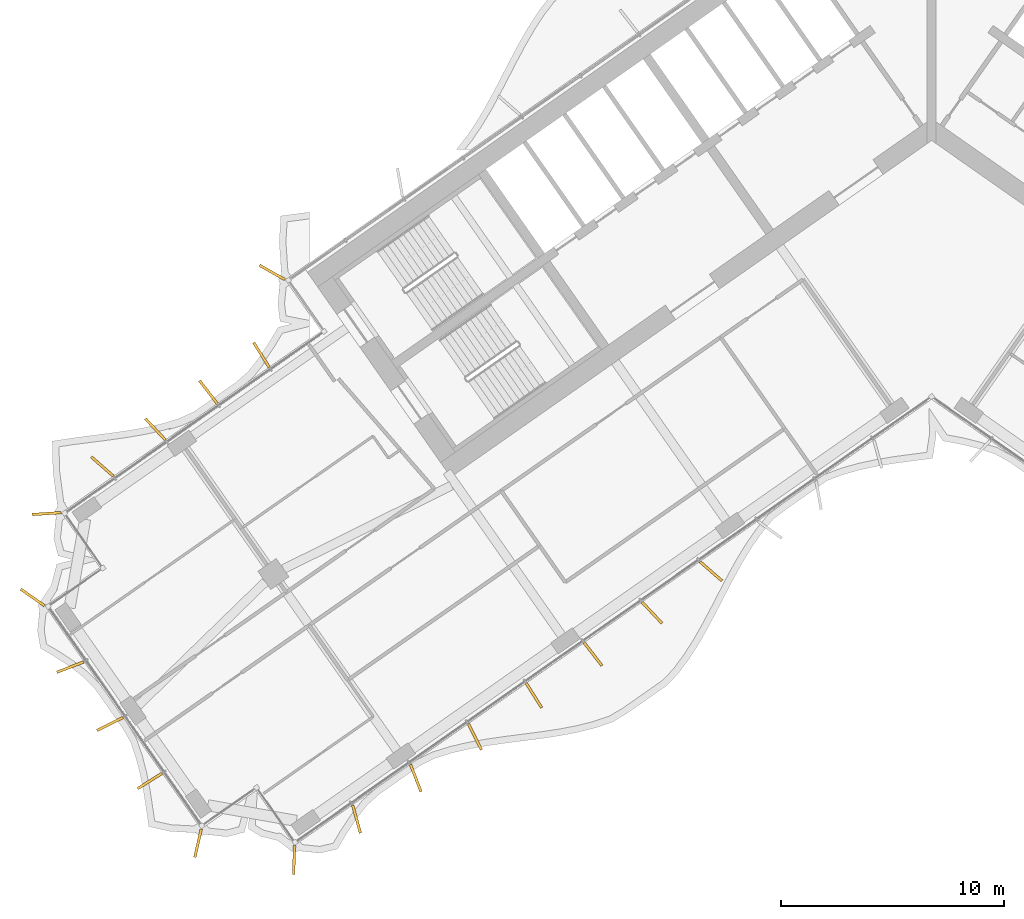
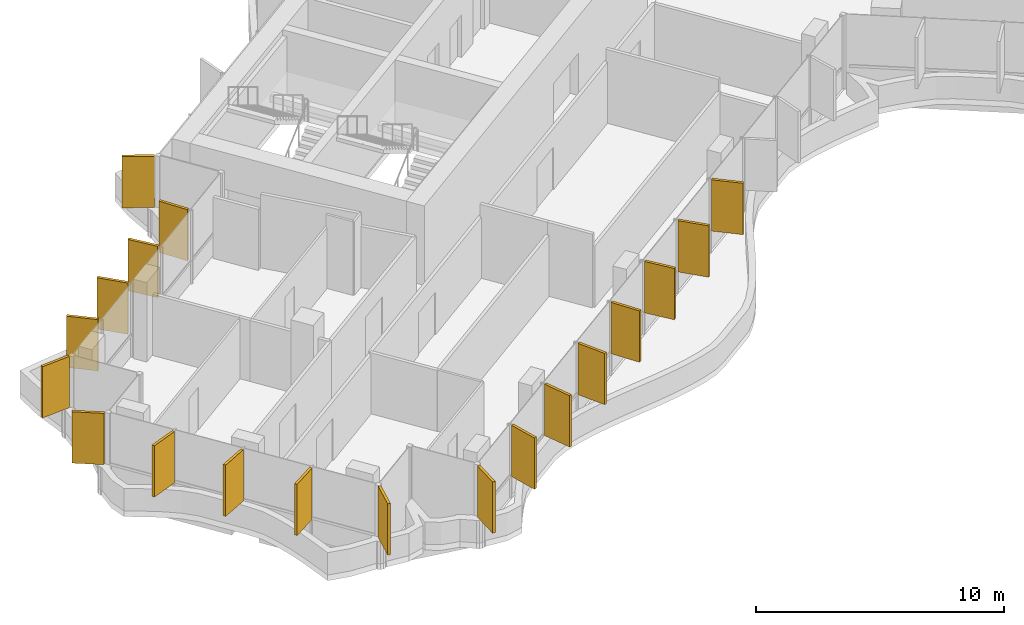
# One storey, part 17 of 22: 19 shading devices.
"""IFC4 building model written with IfcOpenShell, lengths in metres."""

from ifc_helpers import new_model, si_unit, direction, frame, origin, origin_2d, place, context, subcontext, project, spatial, rectangle, extrude, material, layer, layer_set, type_object, element, save


model = new_model("IFC4")

# Units and contexts
model_context = context("Model", 3, precision=1e-05, world=origin(), true_north=direction((0.0, 1.0)))
body_context = subcontext(model_context, "Body", "Model", "MODEL_VIEW")
ifc_project = project(units=[si_unit("LENGTHUNIT", "METRE"), si_unit("AREAUNIT", "SQUARE_METRE"), si_unit("VOLUMEUNIT", "CUBIC_METRE"), si_unit("PLANEANGLEUNIT", "RADIAN"), si_unit("MASSUNIT", "GRAM", prefix="KILO")], contexts=[model_context])

# Site, building, storey
site_placement = place(None, origin())
site = spatial("IfcSite", under=ifc_project, at=site_placement, CompositionType="ELEMENT")
building_placement = place(site_placement, origin())
building = spatial("IfcBuilding", under=site, at=building_placement, Name="Tel Ilan Convention Tower", CompositionType="ELEMENT")
storey_placement = place(building_placement, frame((0.0, 0.0, 143.699951171875)))
storey = spatial("IfcBuildingStorey", under=building, at=storey_placement, Name="L32", CompositionType="ELEMENT", Elevation=143.699951171875)

# Shading devices
ifc_material = material(Name="Aluminium, bronze anodised", Category="aluminium")
ifc_layer = layer(ifc_material, 0.1201171875)
ifc_layer_set = layer_set([ifc_layer], Name="FIN BRONZE 1300x120")
shading_device_type = type_object("IfcShadingDeviceType", Name="FIN BRONZE 1300x120", PredefinedType="USERDEFINED", material=ifc_layer_set)
for number, where, z_axis, x_axis, name in (
    (1, (-29.5439453125, -7.13623046875, 1.10009765625), (0.0, 0.0, 1.0), (-0.870832754082, 0.491579408049, 0.0), "FIN"),
    (2, (-30.027099609375, -10.829833984375, 1.10009765625), (0.0, 0.0, 1.0), (-0.533204432798, 0.845986425922, 0.0), "FIN"),
    (3, (-32.405029296875, -12.494873046875, 1.10009765625), (0.0, 0.0, 1.0), (-0.612600545196, 0.790392669516, 0.0), "FIN"),
    (4, (-34.78271484375, -14.159912109375, 1.10009765625), (0.0, 0.0, 1.0), (-0.686241637865, 0.727373641577, 0.0), "FIN"),
    (5, (-37.156005859375, -15.829833984375, 1.10009765625), (0.0, 0.0, 1.0), (-0.753435896329, 0.657521368568, 0.0), "FIN"),
    (6, (-39.64697265625, -17.939208984375, 1.10009765625), (0.0, 0.0, 1.0), (-0.997697449973, -0.067821812994, 0.0), "FIN"),
    (7, (-40.2783203125, -21.698486328125, 1.10009765625), (0.0, 0.0, 1.0), (-0.819152044289, 0.573576436351, 0.0), "FIN"),
    (8, (-38.58984375, -24.816162109375, 1.10009765625), (0.0, 0.0, 1.0), (-0.932883704733, -0.360177724803, 0.0), "FIN"),
    (9, (-36.810302734375, -27.368896484375, 1.10009765625), (0.0, 0.0, 1.0), (-0.893632640321, -0.448799180206, 0.0), "FIN"),
    (10, (-35.025146484375, -29.9189453125, 1.10009765625), (0.0, 0.0, 1.0), (-0.845986425922, -0.533204432798, 0.0), "FIN"),
    (11, (-32.867919921875, -32.70556640625, 1.10009765625), (0.0, 0.0, 1.0), (-0.221170268371, -0.975235208752, 0.0), "FIN"),
    (12, (-28.56591796875, -33.4638671875, 1.10009765625), (0.0, 0.0, 1.0), (-0.029084718749, -0.999576950082, 0.0), "FIN"),
    (13, (-25.76513671875, -31.631103515625, 1.10009765625), (0.0, 0.0, 1.0), (0.268172612768, -0.963370878614, 0.0), "FIN"),
    (14, (-23.113525390625, -29.78955078125, 1.10009765625), (0.0, 0.0, 1.0), (0.360177724803, -0.932883704733, 0.0), "FIN"),
    (15, (-20.464111328125, -27.9423828125, 1.10009765625), (0.0, 0.0, 1.0), (0.448799180206, -0.893632640321, 0.0), "FIN"),
    (16, (-17.8173828125, -26.089599609375, 1.10009765625), (0.0, 0.0, 1.0), (0.533204432798, -0.845986425922, 0.0), "FIN"),
    (17, (-15.1708984375, -24.236328125, 1.10009765625), (0.0, 0.0, 1.0), (0.612600545196, -0.790392669516, 0.0), "FIN"),
    (18, (-12.524658203125, -22.383056640625, 1.10009765625), (0.0, 0.0, 1.0), (0.686241637865, -0.727373641577, 0.0), "FIN"),
    (19, (-9.882568359375, -20.525146484375, 1.10009765625), (0.0, 0.0, 1.0), (0.753435896329, -0.657521368568, 0.0), "FIN"),
):
    element("IfcShadingDevice", number, at=place(storey_placement, frame(where, z_axis=z_axis, x_axis=x_axis)), inside=storey, type_object=shading_device_type, Name=name, ObjectType="FIN", PredefinedType="USERDEFINED", context=body_context, shape_type="SweptSolid", body=[
        extrude(rectangle(XDim=1.300048828125, YDim=0.1201171875, at=origin_2d()), origin(), (0.0, 0.0, 1.0), 2.52001953125),
    ])

save(model, "model.ifc")
